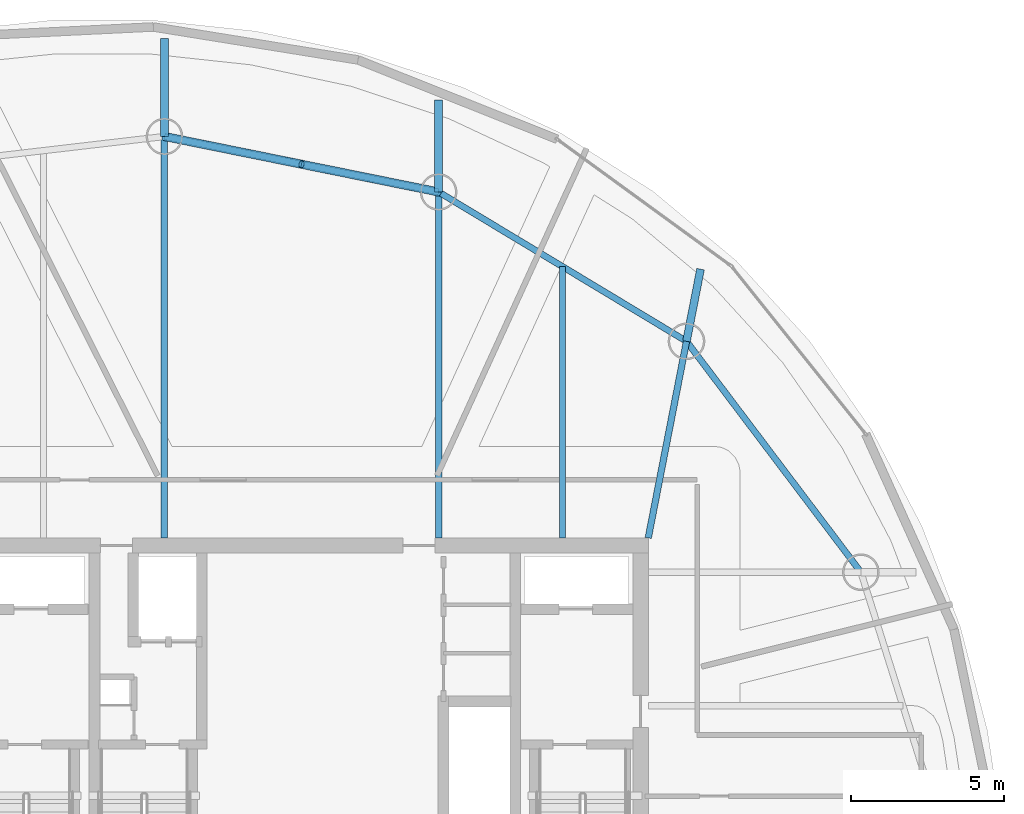
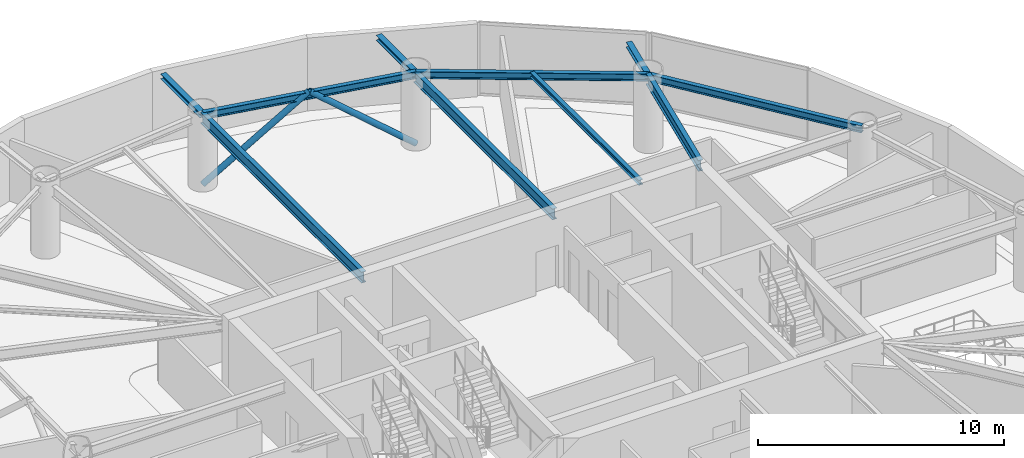
# One storey, part 10 of 18: 10 beams, 2 members.
"""IFC4 building model written with IfcOpenShell, lengths in metres."""

from ifc_helpers import new_model, si_unit, direction, frame, origin, origin_2d, place, context, subcontext, project, spatial, hollow_circle, i_section, extrude, material, material_profile, profile_set, type_object, element, save


model = new_model("IFC4")

# Units and contexts
model_context = context("Model", 3, precision=1e-05, world=origin(), true_north=direction((0.0, 1.0)))
body_context = subcontext(model_context, "Body", "Model", "MODEL_VIEW")
ifc_project = project(units=[si_unit("LENGTHUNIT", "METRE"), si_unit("AREAUNIT", "SQUARE_METRE"), si_unit("VOLUMEUNIT", "CUBIC_METRE"), si_unit("PLANEANGLEUNIT", "RADIAN"), si_unit("MASSUNIT", "GRAM", prefix="KILO")], contexts=[model_context])

# Site, building, storey
site_placement = place(None, origin())
site = spatial("IfcSite", under=ifc_project, at=site_placement, CompositionType="ELEMENT")
building_placement = place(site_placement, origin())
building = spatial("IfcBuilding", under=site, at=building_placement, Name="Bramvorn Convention Spire", CompositionType="ELEMENT")
storey_placement = place(building_placement, frame((0.0, 0.0, 205.85009765625)))
storey = spatial("IfcBuildingStorey", under=building, at=storey_placement, Name="L52", CompositionType="ELEMENT", Elevation=205.85009765625)

# Beams
ifc_material = material(Name="Steel CSA G40.21 Grade 350 (350W)", Category="steel")
ifc_material_profile_1 = material_profile(ifc_material, i_section(OverallWidth=0.201904296875, OverallDepth=0.2470703125, WebThickness=0.00732421875, FlangeThickness=0.010986328125, FilletRadius=0.011962890625, at=origin_2d()))
ifc_profile_set_1 = profile_set([ifc_material_profile_1], Name="Steel CSA G40.21 Grade 350 (350W) - W250X49")
beam_type_1 = type_object("IfcBeamType", Name="BM-W250X49", PredefinedType="JOIST", material=ifc_profile_set_1)
beam_1_placement = place(storey_placement, frame((46.445556640625, 33.449951171875, 3.496337890625), z_axis=(0.0, 1.0, 0.0), x_axis=(-1.0, 0.0, 0.0)))
element("IfcBeam", 1, at=beam_1_placement, inside=storey, type_object=beam_type_1, Name="L52 composite floor joist 05", PredefinedType="JOIST", context=body_context, shape_type="SweptSolid", body=[
    extrude(i_section(OverallWidth=0.201904296875, OverallDepth=0.2470703125, WebThickness=0.00732421875, FlangeThickness=0.010986328125, FilletRadius=0.011962890625, at=origin_2d()), origin(), (0.0, 0.0, 1.0), 8.878662109375),
])
ifc_material_profile_2 = material_profile(ifc_material, i_section(OverallWidth=0.25390625, OverallDepth=0.2529296875, WebThickness=0.008544921875, FlangeThickness=0.01416015625, FilletRadius=0.011962890625, at=origin_2d()))
ifc_profile_set_2 = profile_set([ifc_material_profile_2], Name="Steel CSA G40.21 Grade 350 (350W) - W250X73")
beam_type_2 = type_object("IfcBeamType", Name="BM-W250X73", PredefinedType="BEAM", material=ifc_profile_set_2)
beam_2_placement = place(storey_placement, frame((50.501953125, 39.885009765625, 3.45849609375), z_axis=(0.191000044722, 0.981590027922, 0.0), x_axis=(-0.981590027922, 0.191000044722, 0.0)))
element("IfcBeam", 2, at=beam_2_placement, inside=storey, type_object=beam_type_2, Name="L52 slab-edge cantilever tip beam MC05", PredefinedType="BEAM", context=body_context, shape_type="SweptSolid", body=[
    extrude(i_section(OverallWidth=0.25390625, OverallDepth=0.2529296875, WebThickness=0.008544921875, FlangeThickness=0.01416015625, FilletRadius=0.011962890625, at=origin_2d()), origin(), (0.0, 0.0, 1.0), 2.405517578125),
])
beam_3_placement = place(storey_placement, frame((42.38916015625, 44.772216796875, 3.45849609375), z_axis=(0.0, 1.0, 0.0), x_axis=(-1.0, 0.0, 0.0)))
element("IfcBeam", 3, at=beam_3_placement, inside=storey, type_object=beam_type_2, Name="L52 slab-edge cantilever tip beam MC06", PredefinedType="BEAM", context=body_context, shape_type="SweptSolid", body=[
    extrude(i_section(OverallWidth=0.25390625, OverallDepth=0.2529296875, WebThickness=0.008544921875, FlangeThickness=0.01416015625, FilletRadius=0.011962890625, at=origin_2d()), origin(), (0.0, 0.0, 1.0), 3.00732421875),
])
beam_4_placement = place(storey_placement, frame((33.416259765625, 46.58837890625, 3.45849609375), z_axis=(0.0, 1.0, 0.0), x_axis=(-1.0, 0.0, 0.0)))
element("IfcBeam", 4, at=beam_4_placement, inside=storey, type_object=beam_type_2, Name="L52 slab-edge cantilever tip beam MC07", PredefinedType="BEAM", context=body_context, shape_type="SweptSolid", body=[
    extrude(i_section(OverallWidth=0.25390625, OverallDepth=0.2529296875, WebThickness=0.008544921875, FlangeThickness=0.01416015625, FilletRadius=0.011962890625, at=origin_2d()), origin(), (0.0, 0.0, 1.0), 3.199951171875),
])
ifc_material_profile_3 = material_profile(ifc_material, i_section(OverallWidth=0.205078125, OverallDepth=0.35400390625, WebThickness=0.009521484375, FlangeThickness=0.016845703125, FilletRadius=0.014892578125, at=origin_2d()))
ifc_profile_set_3 = profile_set([ifc_material_profile_3], Name="Steel CSA G40.21 Grade 350 (350W) - W360X79")
beam_type_3 = type_object("IfcBeamType", Name="BM-W360X79", PredefinedType="JOIST", material=ifc_profile_set_3)
for number, where, z_axis, x_axis, name in (
    (5, (56.21044921875, 32.327392578125, 3.44287109375), (-0.602718581414, 0.797953827999, 0.0), (-0.797953827999, -0.602718581414, 0.0), "L52 mega-column ring beam 04"),
    (6, (50.501953125, 39.885009765625, 3.44287109375), (-0.856581795745, 0.516011266543, 0.0), (-0.516011266543, -0.856581795745, 0.0), "L52 mega-column ring beam 05"),
):
    element("IfcBeam", number, at=place(storey_placement, frame(where, z_axis=z_axis, x_axis=x_axis)), inside=storey, type_object=beam_type_3, Name=name, PredefinedType="JOIST", context=body_context, shape_type="SweptSolid", body=[
        extrude(i_section(OverallWidth=0.205078125, OverallDepth=0.35400390625, WebThickness=0.009521484375, FlangeThickness=0.016845703125, FilletRadius=0.014892578125, at=origin_2d()), origin(), (0.0, 0.0, 1.0), 9.47119140625),
    ])
beam_5_placement = place(storey_placement, frame((42.38916015625, 44.772216796875, 3.44287109375), z_axis=(-0.980124701676, 0.198382381187, 0.0), x_axis=(-0.198382381187, -0.980124701676, 0.0)))
element("IfcBeam", 7, at=beam_5_placement, inside=storey, type_object=beam_type_3, Name="L52 mega-column ring beam 06", PredefinedType="JOIST", context=body_context, shape_type="SweptSolid", body=[
    extrude(i_section(OverallWidth=0.205078125, OverallDepth=0.35400390625, WebThickness=0.009521484375, FlangeThickness=0.016845703125, FilletRadius=0.014892578125, at=origin_2d()), origin(), (0.0, 0.0, 1.0), 9.15478515625),
])
ifc_material_profile_4 = material_profile(ifc_material, i_section(OverallWidth=0.2119140625, OverallDepth=0.5439453125, WebThickness=0.01318359375, FlangeThickness=0.021240234375, FilletRadius=0.01904296875, at=origin_2d()))
ifc_profile_set_4 = profile_set([ifc_material_profile_4], Name="Steel CSA G40.21 Grade 350 (350W) - W530X123")
beam_type_4 = type_object("IfcBeamType", Name="BM-W530X123", PredefinedType="BEAM", material=ifc_profile_set_4)
beam_6_placement = place(storey_placement, frame((49.25, 33.449951171875, 3.347900390625), z_axis=(0.190971329886, 0.981595614885, 0.0), x_axis=(-0.981595614885, 0.190971329886, 0.0)))
element("IfcBeam", 8, at=beam_6_placement, inside=storey, type_object=beam_type_4, Name="L52 radial floor girder MC05", PredefinedType="BEAM", context=body_context, shape_type="SweptSolid", body=[
    extrude(i_section(OverallWidth=0.2119140625, OverallDepth=0.5439453125, WebThickness=0.01318359375, FlangeThickness=0.021240234375, FilletRadius=0.01904296875, at=origin_2d()), origin(), (0.0, 0.0, 1.0), 6.5556640625),
])
beam_7_placement = place(storey_placement, frame((42.38916015625, 33.449951171875, 3.347900390625), z_axis=(0.0, 1.0, 0.0), x_axis=(-1.0, 0.0, 0.0)))
element("IfcBeam", 9, at=beam_7_placement, inside=storey, type_object=beam_type_4, Name="L52 radial floor girder MC06", PredefinedType="BEAM", context=body_context, shape_type="SweptSolid", body=[
    extrude(i_section(OverallWidth=0.2119140625, OverallDepth=0.5439453125, WebThickness=0.01318359375, FlangeThickness=0.021240234375, FilletRadius=0.01904296875, at=origin_2d()), origin(), (0.0, 0.0, 1.0), 11.322265625),
])
beam_8_placement = place(storey_placement, frame((33.416259765625, 33.449951171875, 3.347900390625), z_axis=(0.0, 1.0, 0.0), x_axis=(-1.0, 0.0, 0.0)))
element("IfcBeam", 10, at=beam_8_placement, inside=storey, type_object=beam_type_4, Name="L52 radial floor girder MC07", PredefinedType="BEAM", context=body_context, shape_type="SweptSolid", body=[
    extrude(i_section(OverallWidth=0.2119140625, OverallDepth=0.5439453125, WebThickness=0.01318359375, FlangeThickness=0.021240234375, FilletRadius=0.01904296875, at=origin_2d()), origin(), (0.0, 0.0, 1.0), 13.138427734375),
])

# Members
ifc_material_profile_5 = material_profile(ifc_material, hollow_circle(Radius=0.136474609375, WallThickness=0.0126953125, at=origin_2d()))
ifc_profile_set_5 = profile_set([ifc_material_profile_5], Name="Steel CSA G40.21 Grade 350 (350W) - CHS273X13")
member_type = type_object("IfcMemberType", Name="MBR-CHS273X13", PredefinedType="BRACE", material=ifc_profile_set_5)
member_1_placement = place(storey_placement, frame((42.38916015625, 44.772216796875, 0.0), z_axis=(-0.768794363443, 0.155582861057, 0.620281549043), x_axis=(-0.198351578089, -0.98013093588, 0.0)))
element("IfcMember", 11, at=member_1_placement, inside=storey, type_object=member_type, Name="L52 perimeter Gothic lancet brace 6A", PredefinedType="BRACE", context=body_context, shape_type="SweptSolid", body=[
    extrude(hollow_circle(Radius=0.136474609375, WallThickness=0.0126953125, at=origin_2d()), origin(), (0.0, 0.0, 1.0), 5.8359375),
])
member_2_placement = place(storey_placement, frame((33.416259765625, 46.58837890625, 0.0), z_axis=(0.768772249419, -0.155628687845, 0.620297460935), x_axis=(0.198413185373, 0.980118466243, 0.0)))
element("IfcMember", 12, at=member_2_placement, inside=storey, type_object=member_type, Name="L52 perimeter Gothic lancet brace 6B", PredefinedType="BRACE", context=body_context, shape_type="SweptSolid", body=[
    extrude(hollow_circle(Radius=0.136474609375, WallThickness=0.0126953125, at=origin_2d()), origin(), (0.0, 0.0, 1.0), 5.835693359375),
])

save(model, "model.ifc")
